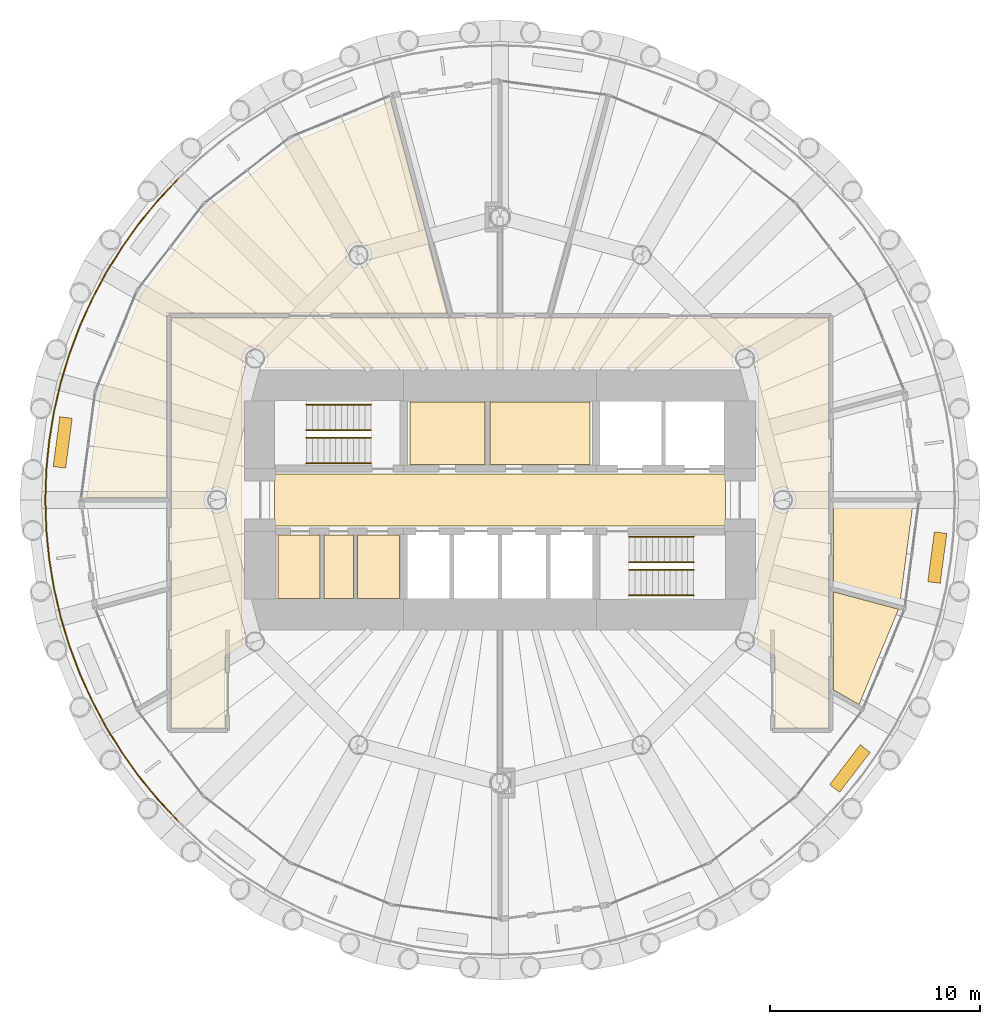
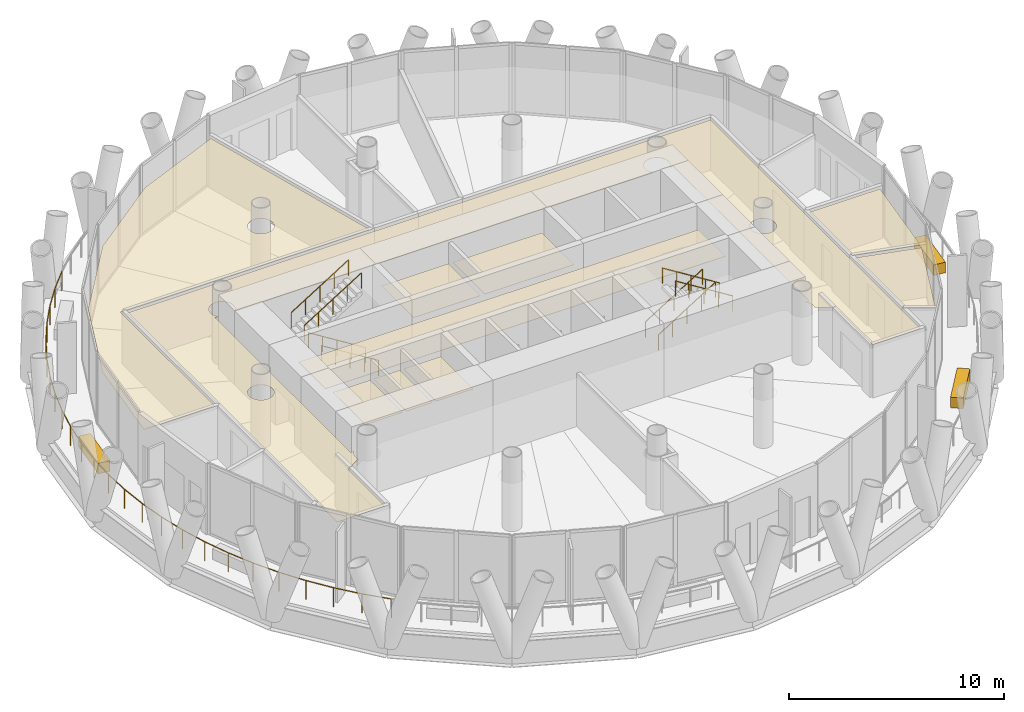
# One storey, part 12 of 13: 13 coverings, 9 railings.
"""IFC4 building model written with IfcOpenShell, lengths in metres."""

import ifcopenshell
import ifcopenshell.guid

model = None  # the IFC model being written
_history = None  # IfcOwnerHistory: only IFC2X3 demands one
_inside = {}  # id of a spatial element -> (the spatial element, [elements in it])
_under = {}  # id of a project, library or spatial element -> (it, [spatial elements below it])
_declared = {}  # id of a project -> (the project, [libraries it declares])
_typed = {}  # id of a type object -> (the type object, [elements of that type])
_made_of = {}  # id of a material, layer set ... -> (it, [elements and type objects made of it])


def new_model(schema):
    """Start an empty IFC model of exactly this schema.

    Asked for "IFC4X3", IfcOpenShell would pick the latest addendum, in which some entities
    have other attributes; the version numbers below select the first issue.
    IFC2X3 requires an IfcOwnerHistory on every rooted entity: one is made here for all.
    """
    global model, _history
    if schema == "IFC4X3":
        model = ifcopenshell.file(schema_version=(4, 3, 0, 0))
    else:
        model = ifcopenshell.file(schema=schema)
    _inside.clear()
    _under.clear()
    _declared.clear()
    _typed.clear()
    _made_of.clear()
    _history = None
    if model.schema == "IFC2X3":
        org = make("IfcOrganization", Name="unknown")
        user = make(
            "IfcPersonAndOrganization",
            ThePerson=make("IfcPerson", FamilyName="unknown"),
            TheOrganization=org,
        )
        app = make(
            "IfcApplication",
            ApplicationDeveloper=org,
            Version="unknown",
            ApplicationFullName="unknown",
            ApplicationIdentifier="unknown",
        )
        _history = make(
            "IfcOwnerHistory",
            OwningUser=user,
            OwningApplication=app,
            ChangeAction="ADDED",
            CreationDate=0,
        )
    return model


def make(cls, **values):
    """One entity of the class cls with the attributes given. An attribute that is None is left unset."""
    return model.create_entity(
        cls, **{name: value for name, value in values.items() if value is not None}
    )


def rooted(cls, **values):
    """An entity with a GlobalId (a new one), such as an element, a storey or a relation."""
    return make(cls, GlobalId=ifcopenshell.guid.new(), OwnerHistory=_history, **values)


def si_unit(unit_type, name, prefix=None):
    """IfcSIUnit, for example si_unit("LENGTHUNIT", "METRE", prefix="MILLI")."""
    return make("IfcSIUnit", UnitType=unit_type, Prefix=prefix, Name=name)


def assignment(units):
    """IfcUnitAssignment: the units of a project."""
    return None if units is None else make("IfcUnitAssignment", Units=units)


def point(xyz):
    """IfcCartesianPoint."""
    return None if xyz is None else make("IfcCartesianPoint", Coordinates=xyz)


def direction(xyz):
    """IfcDirection."""
    return None if xyz is None else make("IfcDirection", DirectionRatios=xyz)


def frame(location, z_axis=None, x_axis=None):
    """IfcAxis2Placement3D, a coordinate frame: its origin and axes. An axis left out is left unset."""
    return make(
        "IfcAxis2Placement3D",
        Location=point(location),
        Axis=direction(z_axis),
        RefDirection=direction(x_axis),
    )


def frame_2d(location, x_axis=None):
    """IfcAxis2Placement2D, a coordinate frame in the plane: its origin and x axis."""
    return make(
        "IfcAxis2Placement2D", Location=point(location), RefDirection=direction(x_axis)
    )


def origin():
    """The frame at (0, 0, 0) with its axes left unset."""
    return frame((0.0, 0.0, 0.0))


def origin_2d():
    """The frame at (0, 0) in the plane with its x axis left unset."""
    return frame_2d((0.0, 0.0))


def place(relative_to, where):
    """IfcLocalPlacement: puts the frame where relative to a parent placement (None: the world)."""
    return make(
        "IfcLocalPlacement", PlacementRelTo=relative_to, RelativePlacement=where
    )


def context(
    kind, dimensions, precision=None, world=None, true_north=None, identifier=None
):
    """IfcGeometricRepresentationContext, for example the 3D "Model" context."""
    return make(
        "IfcGeometricRepresentationContext",
        ContextIdentifier=identifier,
        ContextType=kind,
        CoordinateSpaceDimension=dimensions,
        Precision=precision,
        WorldCoordinateSystem=world,
        TrueNorth=true_north,
    )


def subcontext(parent, identifier, kind, view, scale=None):
    """IfcGeometricRepresentationSubContext, for example "Body" below "Model"."""
    return make(
        "IfcGeometricRepresentationSubContext",
        ContextIdentifier=identifier,
        ContextType=kind,
        ParentContext=parent,
        TargetScale=scale,
        TargetView=view,
    )


def project(units=None, contexts=None):
    """IfcProject with its units and contexts."""
    return rooted(
        "IfcProject",
        Name="project",
        RepresentationContexts=contexts,
        UnitsInContext=assignment(units),
    )


def spatial(cls, under=None, at=None, **own):
    """A site, building, storey or space (cls), placed at a placement, below another one or the project."""
    s = rooted(cls, ObjectPlacement=at, **own)
    if under is not None:
        _under.setdefault(under.id(), (under, []))[1].append(s)
    return s


def polyline(points):
    """IfcPolyline through the points."""
    return make("IfcPolyline", Points=[point(p) for p in points])


def profile(cls, at=None, kind="AREA", **sizes):
    """A parametric profile (cls). Its sizes go by their IFC names, for example OverallWidth=200.0."""
    return make(cls, ProfileType=kind, Position=at, **sizes)


def rectangle(**sizes):
    """IfcRectangleProfileDef."""
    return profile("IfcRectangleProfileDef", **sizes)


def circle(**sizes):
    """IfcCircleProfileDef."""
    return profile("IfcCircleProfileDef", **sizes)


def outline(outer, holes=None, kind="AREA"):
    """IfcArbitraryClosedProfileDef: a profile drawn as a closed curve; with holes, ...WithVoids."""
    if holes is None:
        return make("IfcArbitraryClosedProfileDef", ProfileType=kind, OuterCurve=outer)
    return make(
        "IfcArbitraryProfileDefWithVoids",
        ProfileType=kind,
        OuterCurve=outer,
        InnerCurves=holes,
    )


def extrude(swept, where, along, depth):
    """IfcExtrudedAreaSolid: the profile swept, set in the frame where, extruded along a direction by depth."""
    return make(
        "IfcExtrudedAreaSolid",
        SweptArea=swept,
        Position=where,
        ExtrudedDirection=direction(along),
        Depth=depth,
    )


def shape(context_of_items, identifier, shape_type, items):
    """IfcShapeRepresentation: the items that make up one representation, for example the "Body"."""
    return make(
        "IfcShapeRepresentation",
        ContextOfItems=context_of_items,
        RepresentationIdentifier=identifier,
        RepresentationType=shape_type,
        Items=items,
    )


def material(Name=None, Category=None):
    """IfcMaterial."""
    return make("IfcMaterial", Name=Name, Category=Category)


def layer(
    of_material, thickness, ventilated=None, Name=None, Category=None, Priority=None
):
    """IfcMaterialLayer: one layer of a wall or slab, of a material (None: an air gap)."""
    return make(
        "IfcMaterialLayer",
        Material=of_material,
        LayerThickness=thickness,
        IsVentilated=ventilated,
        Name=Name,
        Category=Category,
        Priority=Priority,
    )


def layer_set(layers, Name=None):
    """IfcMaterialLayerSet."""
    return make("IfcMaterialLayerSet", MaterialLayers=layers, LayerSetName=Name)


def made_of(thing, what):
    """Note that an element or type object is made of a material, layer set ...; save() writes the relation."""
    if what is not None:
        _made_of.setdefault(what.id(), (what, []))[1].append(thing)
    return thing


def type_object(cls, material=None, **own):
    """A type object (cls), such as IfcWallType, which elements share."""
    return made_of(rooted(cls, **own), material)


def element(
    cls,
    number,
    at=None,
    inside=None,
    cuts=None,
    type_object=None,
    material=None,
    context=None,
    identifier="Body",
    shape_type=None,
    held_by="IfcProductDefinitionShape",
    body=None,
    shapes=None,
    **own,
):
    """One element of the class cls, such as IfcWall. Its Tag is "e" and its number.

    at: its placement. inside: the storey or other place that contains it. cuts: it is an
    opening in that element (IfcRelVoidsElement). A single representation is given by context,
    identifier, shape_type and body (its items); several are given by shapes. held_by: the class
    of the entity that holds the representations. save() writes the other relations.
    """
    e = rooted(cls, Tag="e%d" % number, ObjectPlacement=at, **own)
    if body is not None:
        shapes = [shape(context, identifier, shape_type, body)]
    if shapes is not None:
        e.Representation = make(held_by, Representations=shapes)
    if inside is not None:
        _inside.setdefault(inside.id(), (inside, []))[1].append(e)
    if cuts is not None:
        rooted(
            "IfcRelVoidsElement", RelatingBuildingElement=cuts, RelatedOpeningElement=e
        )
    if type_object is not None:
        _typed.setdefault(type_object.id(), (type_object, []))[1].append(e)
    return made_of(e, material)


def aggregate(whole, parts):
    """IfcRelAggregates: a whole, such as a stair, and the parts it consists of."""
    return rooted("IfcRelAggregates", RelatingObject=whole, RelatedObjects=parts)


def save(model, path):
    """Write the relations noted so far, then the file.

    IfcRelAggregates (storeys below a building ...), IfcRelContainedInSpatialStructure (elements
    in a storey), IfcRelDefinesByType, IfcRelAssociatesMaterial and IfcRelDeclares: one each for
    every whole, place, type object, material and project.
    """
    for whole, parts in _under.values():
        aggregate(whole, parts)
    for where, things in _inside.values():
        rooted(
            "IfcRelContainedInSpatialStructure",
            RelatedElements=things,
            RelatingStructure=where,
        )
    for kind, things in _typed.values():
        rooted("IfcRelDefinesByType", RelatedObjects=things, RelatingType=kind)
    for what, things in _made_of.values():
        rooted("IfcRelAssociatesMaterial", RelatedObjects=things, RelatingMaterial=what)
    for by, libraries in _declared.values():
        rooted("IfcRelDeclares", RelatingContext=by, RelatedDefinitions=libraries)
    model.write(path)


model = new_model("IFC4")

# Units and contexts
model_context = context("Model", 3, precision=1e-05, world=origin(), true_north=direction((0.0, 1.0)))
body_context = subcontext(model_context, "Body", "Model", "MODEL_VIEW")
ifc_project = project(units=[si_unit("LENGTHUNIT", "METRE"), si_unit("AREAUNIT", "SQUARE_METRE"), si_unit("VOLUMEUNIT", "CUBIC_METRE"), si_unit("PLANEANGLEUNIT", "RADIAN"), si_unit("MASSUNIT", "GRAM", prefix="KILO")], contexts=[model_context])

# Site, building, storey
site_placement = place(None, origin())
site = spatial("IfcSite", under=ifc_project, at=site_placement, CompositionType="ELEMENT")
building_placement = place(site_placement, origin())
building = spatial("IfcBuilding", under=site, at=building_placement, Name="Qaws Media Tower", CompositionType="ELEMENT")
storey_placement = place(building_placement, frame((0.0, 0.0, 244.39990234375)))
storey = spatial("IfcBuildingStorey", under=building, at=storey_placement, Name="L56", CompositionType="ELEMENT", Elevation=244.39990234375)

# Railing
ifc_material_1 = material(Name="Stainless steel and glass guard", Category="steel")
railing_type_1 = type_object("IfcRailingType", Name="Balcony guard 1100", PredefinedType="GUARDRAIL", material=ifc_material_1)
railing_placement = place(storey_placement, frame((44.65576171875, 65.34423828125, 0.0)))
element("IfcRailing", 1, at=railing_placement, inside=storey, type_object=railing_type_1, Name="GR1 balcony guard L56-2", PredefinedType="GUARDRAIL", context=body_context, shape_type="SweptSolid", body=[
    extrude(circle(Radius=0.02392578125, at=origin_2d()), frame((0.0, 0.0, 1.076171875), z_axis=(-0.683603624785, -0.729853467609, 0.0), x_axis=(0.729853467609, -0.683603624785, 0.0)), (0.0, 0.0, 1.0), 1.419921875),
    extrude(circle(Radius=0.02392578125, at=origin_2d()), frame((-0.970703125, -1.036376953125, 1.076171875), z_axis=(-0.634416723554, -0.772991216558, 0.0), x_axis=(0.772991216558, -0.634416723554, 0.0)), (0.0, 0.0, 1.0), 1.419921875),
    extrude(circle(Radius=0.02392578125, at=origin_2d()), frame((-1.87158203125, -2.134033203125, 1.076171875), z_axis=(-0.582473506781, -0.812849687149, 0.0), x_axis=(0.812849687149, -0.582473506781, 0.0)), (0.0, 0.0, 1.0), 1.420166015625),
    extrude(circle(Radius=0.02392578125, at=origin_2d()), frame((-2.69873046875, -3.288330078125, 1.076171875), z_axis=(-0.528034673751, -0.84922281135, 0.0), x_axis=(0.84922281135, -0.528034673751, 0.0)), (0.0, 0.0, 1.0), 1.419921875),
    extrude(circle(Radius=0.02392578125, at=origin_2d()), frame((-3.448486328125, -4.494140625, 1.076171875), z_axis=(-0.471391103833, -0.881924275223, 0.0), x_axis=(0.881924275223, -0.471391103833, 0.0)), (0.0, 0.0, 1.0), 1.420166015625),
    extrude(circle(Radius=0.02392578125, at=origin_2d()), frame((-4.117919921875, -5.74658203125, 1.076171875), z_axis=(-0.412636764807, -0.910895658311, 0.0), x_axis=(0.910895658311, -0.412636764807, 0.0)), (0.0, 0.0, 1.0), 1.419921875),
    extrude(circle(Radius=0.02392578125, at=origin_2d()), frame((-4.703857421875, -7.0400390625, 1.076171875), z_axis=(-0.352310269546, -0.935883258731, 0.0), x_axis=(0.935883258731, -0.352310269546, 0.0)), (0.0, 0.0, 1.0), 1.419921875),
    extrude(circle(Radius=0.02392578125, at=origin_2d()), frame((-5.2041015625, -8.368896484375, 1.076171875), z_axis=(-0.290374784833, -0.956912997264, 0.0), x_axis=(0.956912997264, -0.290374784833, 0.0)), (0.0, 0.0, 1.0), 1.420166015625),
    extrude(circle(Radius=0.02392578125, at=origin_2d()), frame((-5.616455078125, -9.727783203125, 1.076171875), z_axis=(-0.22693069724, -0.97391090899, 0.0), x_axis=(0.97391090899, -0.22693069724, 0.0)), (0.0, 0.0, 1.0), 1.420166015625),
    extrude(circle(Radius=0.02392578125, at=origin_2d()), frame((-5.938720703125, -11.11083984375, 1.076171875), z_axis=(-0.163004667543, -0.986625297851, 0.0), x_axis=(0.986625297851, -0.163004667543, 0.0)), (0.0, 0.0, 1.0), 1.419921875),
    extrude(circle(Radius=0.02392578125, at=origin_2d()), frame((-6.170166015625, -12.51171875, 1.076171875), z_axis=(-0.097988752405, -0.99518752223, 0.0), x_axis=(0.99518752223, -0.097988752405, 0.0)), (0.0, 0.0, 1.0), 1.420166015625),
    extrude(circle(Radius=0.02392578125, at=origin_2d()), frame((-6.309326171875, -13.925048828125, 1.076171875), z_axis=(-0.032667914955, -0.999466261228, 0.0), x_axis=(0.999466261228, -0.032667914955, 0.0)), (0.0, 0.0, 1.0), 1.419921875),
    extrude(circle(Radius=0.02392578125, at=origin_2d()), frame((-6.355712890625, -15.34423828125, 1.076171875), z_axis=(0.032667914955, -0.999466261228, 0.0), x_axis=(0.999466261228, 0.032667914955, 0.0)), (0.0, 0.0, 1.0), 1.419921875),
    extrude(circle(Radius=0.02392578125, at=origin_2d()), frame((-6.309326171875, -16.763427734375, 1.076171875), z_axis=(0.097988752405, -0.99518752223, 0.0), x_axis=(0.99518752223, 0.097988752405, 0.0)), (0.0, 0.0, 1.0), 1.420166015625),
    extrude(circle(Radius=0.02392578125, at=origin_2d()), frame((-6.170166015625, -18.1767578125, 1.076171875), z_axis=(0.163004667543, -0.986625297851, 0.0), x_axis=(0.986625297851, 0.163004667543, 0.0)), (0.0, 0.0, 1.0), 1.419921875),
    extrude(circle(Radius=0.02392578125, at=origin_2d()), frame((-5.938720703125, -19.57763671875, 1.076171875), z_axis=(0.22693069724, -0.97391090899, 0.0), x_axis=(0.97391090899, 0.22693069724, 0.0)), (0.0, 0.0, 1.0), 1.420166015625),
    extrude(circle(Radius=0.02392578125, at=origin_2d()), frame((-5.616455078125, -20.960693359375, 1.076171875), z_axis=(0.290374784833, -0.956912997264, 0.0), x_axis=(0.956912997264, 0.290374784833, 0.0)), (0.0, 0.0, 1.0), 1.420166015625),
    extrude(circle(Radius=0.02392578125, at=origin_2d()), frame((-5.2041015625, -22.319580078125, 1.076171875), z_axis=(0.352310269546, -0.935883258731, 0.0), x_axis=(0.935883258731, 0.352310269546, 0.0)), (0.0, 0.0, 1.0), 1.419921875),
    extrude(circle(Radius=0.02392578125, at=origin_2d()), frame((-4.703857421875, -23.6484375, 1.076171875), z_axis=(0.412636764807, -0.910895658311, 0.0), x_axis=(0.910895658311, 0.412636764807, 0.0)), (0.0, 0.0, 1.0), 1.419921875),
    extrude(circle(Radius=0.02392578125, at=origin_2d()), frame((-4.117919921875, -24.94189453125, 1.076171875), z_axis=(0.471391103833, -0.881924275223, 0.0), x_axis=(0.881924275223, 0.471391103833, 0.0)), (0.0, 0.0, 1.0), 1.420166015625),
    extrude(circle(Radius=0.02392578125, at=origin_2d()), frame((-3.448486328125, -26.1943359375, 1.076171875), z_axis=(0.528034673751, -0.84922281135, 0.0), x_axis=(0.84922281135, 0.528034673751, 0.0)), (0.0, 0.0, 1.0), 1.419921875),
    extrude(circle(Radius=0.02392578125, at=origin_2d()), frame((-2.69873046875, -27.400146484375, 1.076171875), z_axis=(0.582473506781, -0.812849687149, 0.0), x_axis=(0.812849687149, 0.582473506781, 0.0)), (0.0, 0.0, 1.0), 1.420166015625),
    extrude(circle(Radius=0.02392578125, at=origin_2d()), frame((-1.87158203125, -28.554443359375, 1.076171875), z_axis=(0.634416723554, -0.772991216558, 0.0), x_axis=(0.772991216558, 0.634416723554, 0.0)), (0.0, 0.0, 1.0), 1.419921875),
    extrude(circle(Radius=0.02392578125, at=origin_2d()), frame((-0.970703125, -29.652099609375, 1.076171875), z_axis=(0.683603624785, -0.729853467609, 0.0), x_axis=(0.729853467609, 0.683603624785, 0.0)), (0.0, 0.0, 1.0), 1.419921875),
    extrude(circle(Radius=0.02099609375, at=origin_2d()), origin(), (0.0, 0.0, 1.0), 1.052001953125),
    extrude(circle(Radius=0.02099609375, at=origin_2d()), frame((-0.970703125, -1.036376953125, 0.0)), (0.0, 0.0, 1.0), 1.052001953125),
    extrude(circle(Radius=0.02099609375, at=origin_2d()), frame((-1.87158203125, -2.134033203125, 0.0)), (0.0, 0.0, 1.0), 1.052001953125),
    extrude(circle(Radius=0.02099609375, at=origin_2d()), frame((-2.69873046875, -3.288330078125, 0.0)), (0.0, 0.0, 1.0), 1.052001953125),
    extrude(circle(Radius=0.02099609375, at=origin_2d()), frame((-3.448486328125, -4.494140625, 0.0)), (0.0, 0.0, 1.0), 1.052001953125),
    extrude(circle(Radius=0.02099609375, at=origin_2d()), frame((-4.117919921875, -5.74658203125, 0.0)), (0.0, 0.0, 1.0), 1.052001953125),
    extrude(circle(Radius=0.02099609375, at=origin_2d()), frame((-4.703857421875, -7.0400390625, 0.0)), (0.0, 0.0, 1.0), 1.052001953125),
    extrude(circle(Radius=0.02099609375, at=origin_2d()), frame((-5.2041015625, -8.368896484375, 0.0)), (0.0, 0.0, 1.0), 1.052001953125),
    extrude(circle(Radius=0.02099609375, at=origin_2d()), frame((-5.616455078125, -9.727783203125, 0.0)), (0.0, 0.0, 1.0), 1.052001953125),
    extrude(circle(Radius=0.02099609375, at=origin_2d()), frame((-5.938720703125, -11.11083984375, 0.0)), (0.0, 0.0, 1.0), 1.052001953125),
    extrude(circle(Radius=0.02099609375, at=origin_2d()), frame((-6.170166015625, -12.51171875, 0.0)), (0.0, 0.0, 1.0), 1.052001953125),
    extrude(circle(Radius=0.02099609375, at=origin_2d()), frame((-6.309326171875, -13.925048828125, 0.0)), (0.0, 0.0, 1.0), 1.052001953125),
    extrude(circle(Radius=0.02099609375, at=origin_2d()), frame((-6.355712890625, -15.34423828125, 0.0)), (0.0, 0.0, 1.0), 1.052001953125),
    extrude(circle(Radius=0.02099609375, at=origin_2d()), frame((-6.309326171875, -16.763427734375, 0.0)), (0.0, 0.0, 1.0), 1.052001953125),
    extrude(circle(Radius=0.02099609375, at=origin_2d()), frame((-6.170166015625, -18.1767578125, 0.0)), (0.0, 0.0, 1.0), 1.052001953125),
    extrude(circle(Radius=0.02099609375, at=origin_2d()), frame((-5.938720703125, -19.57763671875, 0.0)), (0.0, 0.0, 1.0), 1.052001953125),
    extrude(circle(Radius=0.02099609375, at=origin_2d()), frame((-5.616455078125, -20.960693359375, 0.0)), (0.0, 0.0, 1.0), 1.052001953125),
    extrude(circle(Radius=0.02099609375, at=origin_2d()), frame((-5.2041015625, -22.319580078125, 0.0)), (0.0, 0.0, 1.0), 1.052001953125),
    extrude(circle(Radius=0.02099609375, at=origin_2d()), frame((-4.703857421875, -23.6484375, 0.0)), (0.0, 0.0, 1.0), 1.052001953125),
    extrude(circle(Radius=0.02099609375, at=origin_2d()), frame((-4.117919921875, -24.94189453125, 0.0)), (0.0, 0.0, 1.0), 1.052001953125),
    extrude(circle(Radius=0.02099609375, at=origin_2d()), frame((-3.448486328125, -26.1943359375, 0.0)), (0.0, 0.0, 1.0), 1.052001953125),
    extrude(circle(Radius=0.02099609375, at=origin_2d()), frame((-2.69873046875, -27.400146484375, 0.0)), (0.0, 0.0, 1.0), 1.052001953125),
    extrude(circle(Radius=0.02099609375, at=origin_2d()), frame((-1.87158203125, -28.554443359375, 0.0)), (0.0, 0.0, 1.0), 1.052001953125),
    extrude(circle(Radius=0.02099609375, at=origin_2d()), frame((-0.970703125, -29.652099609375, 0.0)), (0.0, 0.0, 1.0), 1.052001953125),
    extrude(circle(Radius=0.02099609375, at=origin_2d()), frame((0.0, -30.6884765625, 0.0)), (0.0, 0.0, 1.0), 1.052001953125),
])

# Coverings
ifc_material_2 = material(Name="600 x 600 mineral fibre tiles in exposed grid, suspended", Category="mineral fibre")
ifc_layer_1 = layer(ifc_material_2, 0.02001953125)
ifc_layer_set_1 = layer_set([ifc_layer_1], Name="Mineral fibre tile ceiling 20")
covering_type_1 = type_object("IfcCoveringType", Name="Mineral fibre tile ceiling 20", PredefinedType="CEILING", material=ifc_layer_set_1)
covering_1_placement = place(storey_placement, frame((0.0, 0.0, 2.85009765625)))
element("IfcCovering", 2, at=covering_1_placement, inside=storey, type_object=covering_type_1, Name="CL1 ceiling L56-C07 Gents toilets", PredefinedType="CEILING", context=body_context, shape_type="SweptSolid", body=[
    extrude(outline(polyline([(55.695068359375, 51.695068359375), (55.695068359375, 54.679931640625), (59.276611328125, 54.679931640625), (59.276611328125, 51.695068359375), (55.695068359375, 51.695068359375)])), origin(), (0.0, 0.0, 1.0), 0.02001953125),
])
covering_2_placement = place(storey_placement, frame((0.0, 0.0, 2.85009765625)))
element("IfcCovering", 3, at=covering_2_placement, inside=storey, type_object=covering_type_1, Name="CL1 ceiling L56-C08 Ladies toilets", PredefinedType="CEILING", context=body_context, shape_type="SweptSolid", body=[
    extrude(outline(polyline([(59.5166015625, 51.695068359375), (59.5166015625, 54.679931640625), (64.304931640625, 54.679931640625), (64.304931640625, 51.695068359375), (59.5166015625, 51.695068359375)])), origin(), (0.0, 0.0, 1.0), 0.02001953125),
])
covering_3_placement = place(storey_placement, frame((0.0, 0.0, 2.85009765625)))
element("IfcCovering", 4, at=covering_3_placement, inside=storey, type_object=covering_type_1, Name="CL1 ceiling L56-01 Corridor", PredefinedType="CEILING", context=body_context, shape_type="SweptSolid", body=[
    extrude(outline(polyline([(44.3125, 39.112548828125), (44.3125, 58.6875), (75.6875, 58.6875), (75.6875, 39.112548828125), (73.112548828125, 39.112548828125), (73.112548828125, 42.559326171875), (72.27197265625, 43.044921875), (72.287353515625, 43.09033203125), (72.302978515625, 43.16943359375), (72.308349609375, 43.25), (72.302978515625, 43.33056640625), (72.287353515625, 43.40966796875), (72.261474609375, 43.486083984375), (72.2255859375, 43.55859375), (72.180908203125, 43.62548828125), (72.126220703125, 43.6875), (72.3125, 43.6875), (72.3125, 56.3125), (72.126220703125, 56.3125), (72.180908203125, 56.37451171875), (72.2255859375, 56.44140625), (72.261474609375, 56.513916015625), (72.287353515625, 56.59033203125), (72.302978515625, 56.66943359375), (72.308349609375, 56.75), (72.302978515625, 56.83056640625), (72.287353515625, 56.90966796875), (72.261474609375, 56.986083984375), (72.2255859375, 57.05859375), (72.180908203125, 57.12548828125), (72.127685546875, 57.186279296875), (72.06689453125, 57.239501953125), (71.999755859375, 57.2841796875), (71.927490234375, 57.320068359375), (71.85107421875, 57.345947265625), (71.77197265625, 57.36181640625), (71.69140625, 57.366943359375), (71.61083984375, 57.36181640625), (71.53173828125, 57.345947265625), (71.455078125, 57.320068359375), (71.3828125, 57.2841796875), (71.315673828125, 57.239501953125), (71.255126953125, 57.186279296875), (71.201904296875, 57.12548828125), (71.156982421875, 57.05859375), (71.121337890625, 56.986083984375), (71.095458984375, 56.90966796875), (71.07958984375, 56.83056640625), (71.07421875, 56.75), (71.07958984375, 56.66943359375), (71.095458984375, 56.59033203125), (71.121337890625, 56.513916015625), (71.156982421875, 56.44140625), (71.201904296875, 56.37451171875), (71.25634765625, 56.3125), (48.74365234375, 56.3125), (48.798095703125, 56.37451171875), (48.843017578125, 56.44140625), (48.878662109375, 56.513916015625), (48.904541015625, 56.59033203125), (48.92041015625, 56.66943359375), (48.92578125, 56.75), (48.92041015625, 56.83056640625), (48.904541015625, 56.90966796875), (48.878662109375, 56.986083984375), (48.843017578125, 57.05859375), (48.798095703125, 57.12548828125), (48.744873046875, 57.186279296875), (48.684326171875, 57.239501953125), (48.6171875, 57.2841796875), (48.544921875, 57.320068359375), (48.46826171875, 57.345947265625), (48.38916015625, 57.36181640625), (48.30859375, 57.366943359375), (48.22802734375, 57.36181640625), (48.14892578125, 57.345947265625), (48.072509765625, 57.320068359375), (48.000244140625, 57.2841796875), (47.93310546875, 57.239501953125), (47.872314453125, 57.186279296875), (47.819091796875, 57.12548828125), (47.7744140625, 57.05859375), (47.738525390625, 56.986083984375), (47.712646484375, 56.90966796875), (47.697021484375, 56.83056640625), (47.691650390625, 56.75), (47.697021484375, 56.66943359375), (47.712646484375, 56.59033203125), (47.738525390625, 56.513916015625), (47.7744140625, 56.44140625), (47.819091796875, 56.37451171875), (47.873779296875, 56.3125), (47.6875, 56.3125), (47.6875, 43.6875), (47.873779296875, 43.6875), (47.819091796875, 43.62548828125), (47.7744140625, 43.55859375), (47.738525390625, 43.486083984375), (47.712646484375, 43.40966796875), (47.697021484375, 43.33056640625), (47.691650390625, 43.25), (47.697021484375, 43.16943359375), (47.712646484375, 43.09033203125), (47.72802734375, 43.044921875), (46.887451171875, 42.559326171875), (46.887451171875, 39.112548828125), (44.3125, 39.112548828125)]), holes=[polyline([(47.070068359375, 49.763916015625), (47.095947265625, 49.84033203125), (47.11181640625, 49.91943359375), (47.116943359375, 50.0), (47.11181640625, 50.08056640625), (47.095947265625, 50.15966796875), (47.070068359375, 50.236083984375), (47.0341796875, 50.30859375), (46.989501953125, 50.37548828125), (46.936279296875, 50.436279296875), (46.87548828125, 50.489501953125), (46.80859375, 50.5341796875), (46.736083984375, 50.570068359375), (46.65966796875, 50.595947265625), (46.58056640625, 50.61181640625), (46.5, 50.616943359375), (46.41943359375, 50.61181640625), (46.34033203125, 50.595947265625), (46.263916015625, 50.570068359375), (46.19140625, 50.5341796875), (46.12451171875, 50.489501953125), (46.063720703125, 50.436279296875), (46.010498046875, 50.37548828125), (45.9658203125, 50.30859375), (45.929931640625, 50.236083984375), (45.904052734375, 50.15966796875), (45.88818359375, 50.08056640625), (45.883056640625, 50.0), (45.88818359375, 49.91943359375), (45.904052734375, 49.84033203125), (45.929931640625, 49.763916015625), (45.9658203125, 49.69140625), (46.010498046875, 49.62451171875), (46.063720703125, 49.563720703125), (46.12451171875, 49.510498046875), (46.19140625, 49.4658203125), (46.263916015625, 49.429931640625), (46.34033203125, 49.404052734375), (46.41943359375, 49.38818359375), (46.5, 49.383056640625), (46.58056640625, 49.38818359375), (46.65966796875, 49.404052734375), (46.736083984375, 49.429931640625), (46.80859375, 49.4658203125), (46.87548828125, 49.510498046875), (46.936279296875, 49.563720703125), (46.989501953125, 49.62451171875), (47.0341796875, 49.69140625), (47.070068359375, 49.763916015625)]), polyline([(74.095947265625, 49.84033203125), (74.11181640625, 49.91943359375), (74.116943359375, 50.0), (74.11181640625, 50.08056640625), (74.095947265625, 50.15966796875), (74.070068359375, 50.236083984375), (74.0341796875, 50.30859375), (73.989501953125, 50.37548828125), (73.936279296875, 50.436279296875), (73.87548828125, 50.489501953125), (73.80859375, 50.5341796875), (73.736083984375, 50.570068359375), (73.65966796875, 50.595947265625), (73.58056640625, 50.61181640625), (73.5, 50.616943359375), (73.41943359375, 50.61181640625), (73.34033203125, 50.595947265625), (73.263916015625, 50.570068359375), (73.19140625, 50.5341796875), (73.12451171875, 50.489501953125), (73.063720703125, 50.436279296875), (73.010498046875, 50.37548828125), (72.9658203125, 50.30859375), (72.929931640625, 50.236083984375), (72.904052734375, 50.15966796875), (72.88818359375, 50.08056640625), (72.883056640625, 50.0), (72.88818359375, 49.91943359375), (72.904052734375, 49.84033203125), (72.929931640625, 49.763916015625), (72.9658203125, 49.69140625), (73.010498046875, 49.62451171875), (73.063720703125, 49.563720703125), (73.12451171875, 49.510498046875), (73.19140625, 49.4658203125), (73.263916015625, 49.429931640625), (73.34033203125, 49.404052734375), (73.41943359375, 49.38818359375), (73.5, 49.383056640625), (73.58056640625, 49.38818359375), (73.65966796875, 49.404052734375), (73.736083984375, 49.429931640625), (73.80859375, 49.4658203125), (73.87548828125, 49.510498046875), (73.936279296875, 49.563720703125), (73.989501953125, 49.62451171875), (74.0341796875, 49.69140625), (74.070068359375, 49.763916015625), (74.095947265625, 49.84033203125)])]), origin(), (0.0, 0.0, 1.0), 0.02001953125),
])
covering_4_placement = place(storey_placement, frame((0.0, 0.0, 2.85009765625)))
element("IfcCovering", 5, at=covering_4_placement, inside=storey, type_object=covering_type_1, Name="CL1 ceiling L56-06 Tenant office", PredefinedType="CEILING", context=body_context, shape_type="SweptSolid", body=[
    extrude(outline(polyline([(40.937255859375, 55.10791015625), (42.90869140625, 59.86767578125), (46.045166015625, 63.954833984375), (50.13232421875, 67.09130859375), (54.787353515625, 69.019287109375), (57.495361328125, 58.91259765625), (44.08740234375, 58.91259765625), (44.08740234375, 50.112548828125), (40.279541015625, 50.112548828125), (40.937255859375, 55.10791015625)]), holes=[polyline([(53.820068359375, 61.455078125), (53.845947265625, 61.53173828125), (53.86181640625, 61.61083984375), (53.866943359375, 61.69140625), (53.86181640625, 61.77197265625), (53.845947265625, 61.85107421875), (53.820068359375, 61.927490234375), (53.7841796875, 61.999755859375), (53.739501953125, 62.06689453125), (53.686279296875, 62.127685546875), (53.62548828125, 62.180908203125), (53.55859375, 62.2255859375), (53.486083984375, 62.261474609375), (53.40966796875, 62.287353515625), (53.33056640625, 62.302978515625), (53.25, 62.308349609375), (53.16943359375, 62.302978515625), (53.09033203125, 62.287353515625), (53.013916015625, 62.261474609375), (52.94140625, 62.2255859375), (52.87451171875, 62.180908203125), (52.813720703125, 62.127685546875), (52.760498046875, 62.06689453125), (52.7158203125, 61.999755859375), (52.679931640625, 61.927490234375), (52.654052734375, 61.85107421875), (52.63818359375, 61.77197265625), (52.633056640625, 61.69140625), (52.63818359375, 61.61083984375), (52.654052734375, 61.53173828125), (52.679931640625, 61.455078125), (52.7158203125, 61.3828125), (52.760498046875, 61.315673828125), (52.813720703125, 61.255126953125), (52.87451171875, 61.201904296875), (52.94140625, 61.156982421875), (53.013916015625, 61.121337890625), (53.09033203125, 61.095458984375), (53.16943359375, 61.07958984375), (53.25, 61.07421875), (53.33056640625, 61.07958984375), (53.40966796875, 61.095458984375), (53.486083984375, 61.121337890625), (53.55859375, 61.156982421875), (53.62548828125, 61.201904296875), (53.686279296875, 61.255126953125), (53.739501953125, 61.315673828125), (53.7841796875, 61.3828125), (53.820068359375, 61.455078125)])]), origin(), (0.0, 0.0, 1.0), 0.02001953125),
])
covering_5_placement = place(storey_placement, frame((0.0, 0.0, 2.85009765625)))
element("IfcCovering", 6, at=covering_5_placement, inside=storey, type_object=covering_type_1, Name="CL1 ceiling L56-C04 Shower room", PredefinedType="CEILING", context=body_context, shape_type="SweptSolid", body=[
    extrude(outline(polyline([(49.39990234375, 45.300048828125), (49.39990234375, 48.324951171875), (51.39990234375, 48.324951171875), (51.39990234375, 45.300048828125), (49.39990234375, 45.300048828125)])), origin(), (0.0, 0.0, 1.0), 0.02001953125),
])
covering_6_placement = place(storey_placement, frame((0.0, 0.0, 2.85009765625)))
element("IfcCovering", 7, at=covering_6_placement, inside=storey, type_object=covering_type_1, Name="CL1 ceiling L56-C05 First aid room", PredefinedType="CEILING", context=body_context, shape_type="SweptSolid", body=[
    extrude(outline(polyline([(51.60009765625, 45.300048828125), (51.60009765625, 48.324951171875), (53.0, 48.324951171875), (53.0, 45.300048828125), (51.60009765625, 45.300048828125)])), origin(), (0.0, 0.0, 1.0), 0.02001953125),
])
ifc_material_3 = material(Name="Precast concrete planter with trailing planting", Category="concrete")
ifc_layer_2 = layer(ifc_material_3, 0.60009765625)
ifc_layer_set_2 = layer_set([ifc_layer_2], Name="Planter 2400x600")
covering_type_2 = type_object("IfcCoveringType", Name="Planter 2400x600", PredefinedType="USERDEFINED", material=ifc_layer_set_2)
for number, where, z_axis, x_axis, name in (
    (8, (39.130126953125, 52.74755859375, 0.0), (0.0, 0.0, 1.0), (-0.13052619222, -0.991444861374, 0.0), "PL1 balcony planter L56-06"),
    (9, (76.7001953125, 37.185546875, 0.0), (0.0, 0.0, 1.0), (0.608761429009, 0.793353340291, 0.0), "PL1 balcony planter L56-11"),
    (10, (80.869873046875, 47.25244140625, 0.0), (0.0, 0.0, 1.0), (0.13052619222, 0.991444861374, 0.0), "PL1 balcony planter L56-12"),
):
    element("IfcCovering", number, at=place(storey_placement, frame(where, z_axis=z_axis, x_axis=x_axis)), inside=storey, type_object=covering_type_2, Name=name, ObjectType="PLANTER", PredefinedType="USERDEFINED", context=body_context, shape_type="SweptSolid", body=[
        extrude(rectangle(XDim=2.39990234375, YDim=0.60009765625, at=origin_2d()), origin(), (0.0, 0.0, 1.0), 0.60009765625),
    ])
ifc_material_4 = material(Name="Two layers 12.5 moisture-resistant plasterboard on suspended metal furring", Category="gypsum")
ifc_layer_3 = layer(ifc_material_4, 0.02490234375)
ifc_layer_set_3 = layer_set([ifc_layer_3], Name="Plasterboard ceiling 25")
covering_type_3 = type_object("IfcCoveringType", Name="Plasterboard ceiling 25", PredefinedType="CEILING", material=ifc_layer_set_3)
covering_7_placement = place(storey_placement, frame((0.0, 0.0, 2.85009765625)))
element("IfcCovering", 11, at=covering_7_placement, inside=storey, type_object=covering_type_3, Name="CL2 ceiling L56-C01 Lift lobby", PredefinedType="CEILING", context=body_context, shape_type="SweptSolid", body=[
    extrude(outline(polyline([(49.25, 48.75), (49.25, 51.25), (70.75, 51.25), (70.75, 48.75), (49.25, 48.75)])), origin(), (0.0, 0.0, 1.0), 0.02490234375),
])
covering_8_placement = place(storey_placement, frame((0.0, 0.0, 2.85009765625)))
element("IfcCovering", 12, at=covering_8_placement, inside=storey, type_object=covering_type_3, Name="CL2 ceiling L56-11 Tenant reception", PredefinedType="CEILING", context=body_context, shape_type="SweptSolid", body=[
    extrude(outline(polyline([(77.134521484375, 40.2373046875), (75.91259765625, 40.94287109375), (75.91259765625, 45.619873046875), (79.019287109375, 44.787353515625), (77.134521484375, 40.2373046875)])), origin(), (0.0, 0.0, 1.0), 0.02490234375),
])
covering_9_placement = place(storey_placement, frame((0.0, 0.0, 2.85009765625)))
element("IfcCovering", 13, at=covering_9_placement, inside=storey, type_object=covering_type_3, Name="CL2 ceiling L56-12 Tenant pantry", PredefinedType="CEILING", context=body_context, shape_type="SweptSolid", body=[
    extrude(outline(polyline([(79.07763671875, 45.004638671875), (75.91259765625, 45.852783203125), (75.91259765625, 49.887451171875), (79.720458984375, 49.887451171875), (79.07763671875, 45.004638671875)])), origin(), (0.0, 0.0, 1.0), 0.02490234375),
])
covering_10_placement = place(storey_placement, frame((0.0, 0.0, 2.85009765625)))
element("IfcCovering", 14, at=covering_10_placement, inside=storey, type_object=covering_type_3, Name="CL2 ceiling L56-C06 Accessible WC", PredefinedType="CEILING", context=body_context, shape_type="SweptSolid", body=[
    extrude(outline(polyline([(53.199951171875, 45.300048828125), (53.199951171875, 48.324951171875), (55.199951171875, 48.324951171875), (55.199951171875, 45.300048828125), (53.199951171875, 45.300048828125)])), origin(), (0.0, 0.0, 1.0), 0.02490234375),
])

# Railings
ifc_material_5 = material(Name="Steel tube handrail", Category="steel")
railing_type_2 = type_object("IfcRailingType", Name="Stair handrail 900", PredefinedType="HANDRAIL", material=ifc_material_5)
for number, where, name in (
    (15, (53.840087890625, 51.75, 0.175048828125), "HR1 handrail S1 flight 1 L56"),
    (16, (53.840087890625, 52.9599609375, 0.175048828125), "HR1 handrail S1 flight 1 L56"),
):
    element("IfcRailing", number, at=place(storey_placement, frame(where)), inside=storey, type_object=railing_type_2, Name=name, PredefinedType="HANDRAIL", context=body_context, shape_type="SweptSolid", body=[
        extrude(circle(Radius=0.02392578125, at=origin_2d()), frame((0.0, 0.0, 0.8759765625), z_axis=(-0.847998304005, 0.0, 0.529998940003), x_axis=(0.0, -1.0, 0.0)), (0.0, 0.0, 1.0), 3.632080078125),
        extrude(circle(Radius=0.02099609375, at=origin_2d()), origin(), (0.0, 0.0, 1.0), 0.851806640625),
        extrude(circle(Radius=0.02099609375, at=origin_2d()), frame((-0.77001953125, 0.0, 0.481201171875)), (0.0, 0.0, 1.0), 0.851806640625),
        extrude(circle(Radius=0.02099609375, at=origin_2d()), frame((-1.5400390625, 0.0, 0.96240234375)), (0.0, 0.0, 1.0), 0.851806640625),
        extrude(circle(Radius=0.02099609375, at=origin_2d()), frame((-2.31005859375, 0.0, 1.44384765625)), (0.0, 0.0, 1.0), 0.851806640625),
        extrude(circle(Radius=0.02099609375, at=origin_2d()), frame((-3.080078125, 0.0, 1.925048828125)), (0.0, 0.0, 1.0), 0.851806640625),
    ])
for number, where, name in (
    (17, (50.760009765625, 54.550048828125, 2.275146484375), "HR1 handrail S1 flight 2 L56"),
    (18, (50.760009765625, 53.340087890625, 2.275146484375), "HR1 handrail S1 flight 2 L56"),
    (19, (66.159912109375, 48.25, 0.175048828125), "HR1 handrail S2 flight 1 L56"),
    (20, (66.159912109375, 47.0400390625, 0.175048828125), "HR1 handrail S2 flight 1 L56"),
):
    element("IfcRailing", number, at=place(storey_placement, frame(where)), inside=storey, type_object=railing_type_2, Name=name, PredefinedType="HANDRAIL", context=body_context, shape_type="SweptSolid", body=[
        extrude(circle(Radius=0.02392578125, at=origin_2d()), frame((0.0, 0.0, 0.8759765625), z_axis=(0.847998304005, 0.0, 0.529998940003), x_axis=(0.0, 1.0, 0.0)), (0.0, 0.0, 1.0), 3.632080078125),
        extrude(circle(Radius=0.02099609375, at=origin_2d()), origin(), (0.0, 0.0, 1.0), 0.851806640625),
        extrude(circle(Radius=0.02099609375, at=origin_2d()), frame((0.77001953125, 0.0, 0.481201171875)), (0.0, 0.0, 1.0), 0.851806640625),
        extrude(circle(Radius=0.02099609375, at=origin_2d()), frame((1.5400390625, 0.0, 0.96240234375)), (0.0, 0.0, 1.0), 0.851806640625),
        extrude(circle(Radius=0.02099609375, at=origin_2d()), frame((2.31005859375, 0.0, 1.44384765625)), (0.0, 0.0, 1.0), 0.851806640625),
        extrude(circle(Radius=0.02099609375, at=origin_2d()), frame((3.080078125, 0.0, 1.925048828125)), (0.0, 0.0, 1.0), 0.851806640625),
    ])
for number, where, name in (
    (21, (69.239990234375, 45.449951171875, 2.275146484375), "HR1 handrail S2 flight 2 L56"),
    (22, (69.239990234375, 46.659912109375, 2.275146484375), "HR1 handrail S2 flight 2 L56"),
):
    element("IfcRailing", number, at=place(storey_placement, frame(where)), inside=storey, type_object=railing_type_2, Name=name, PredefinedType="HANDRAIL", context=body_context, shape_type="SweptSolid", body=[
        extrude(circle(Radius=0.02392578125, at=origin_2d()), frame((0.0, 0.0, 0.8759765625), z_axis=(-0.847998304005, 0.0, 0.529998940003), x_axis=(0.0, -1.0, 0.0)), (0.0, 0.0, 1.0), 3.632080078125),
        extrude(circle(Radius=0.02099609375, at=origin_2d()), origin(), (0.0, 0.0, 1.0), 0.851806640625),
        extrude(circle(Radius=0.02099609375, at=origin_2d()), frame((-0.77001953125, 0.0, 0.481201171875)), (0.0, 0.0, 1.0), 0.851806640625),
        extrude(circle(Radius=0.02099609375, at=origin_2d()), frame((-1.5400390625, 0.0, 0.96240234375)), (0.0, 0.0, 1.0), 0.851806640625),
        extrude(circle(Radius=0.02099609375, at=origin_2d()), frame((-2.31005859375, 0.0, 1.44384765625)), (0.0, 0.0, 1.0), 0.851806640625),
        extrude(circle(Radius=0.02099609375, at=origin_2d()), frame((-3.080078125, 0.0, 1.925048828125)), (0.0, 0.0, 1.0), 0.851806640625),
    ])

save(model, "model.ifc")
